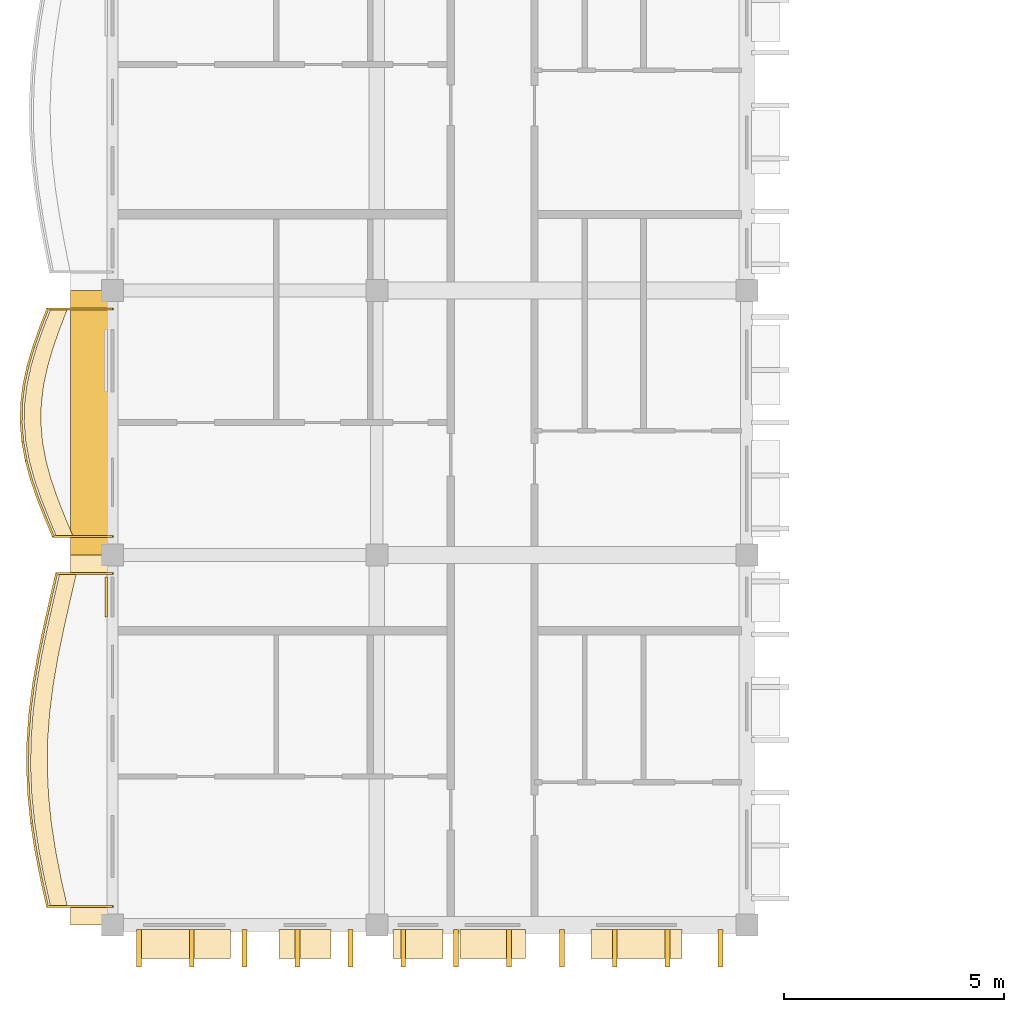
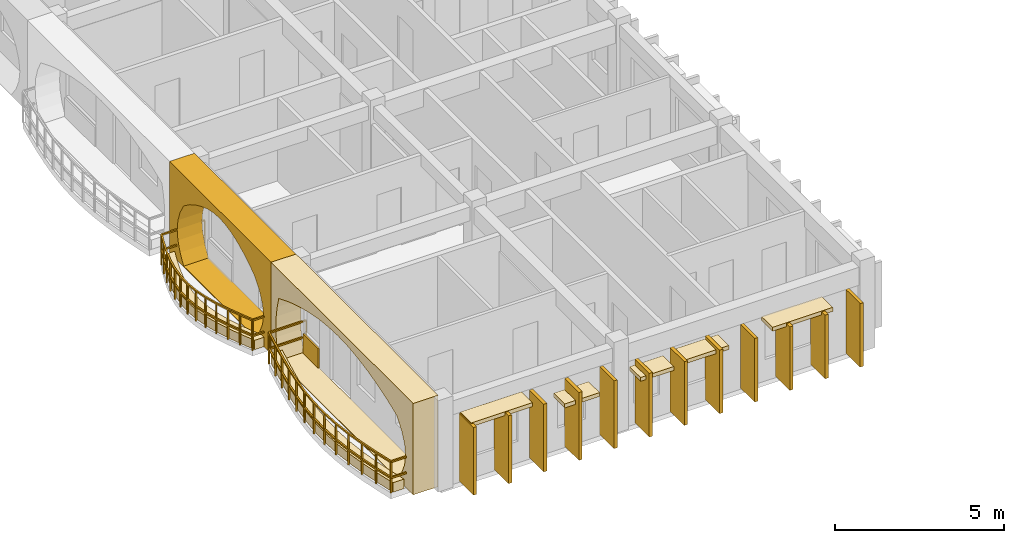
# One storey, part 19 of 28: 22 coverings, 2 railings.
"""IFC4 building model written with IfcOpenShell, lengths in metres."""

from ifc_helpers import new_model, si_unit, direction, frame, origin, origin_2d, place, context, subcontext, project, spatial, polyline, rectangle, outline, extrude, material, layer, layer_set, type_object, element, save


model = new_model("IFC4")

# Units and contexts
model_context = context("Model", 3, precision=1e-05, world=origin(), true_north=direction((0.0, 1.0)))
body_context = subcontext(model_context, "Body", "Model", "MODEL_VIEW")
ifc_project = project(units=[si_unit("LENGTHUNIT", "METRE"), si_unit("AREAUNIT", "SQUARE_METRE"), si_unit("VOLUMEUNIT", "CUBIC_METRE"), si_unit("PLANEANGLEUNIT", "RADIAN"), si_unit("MASSUNIT", "GRAM", prefix="KILO"), si_unit("THERMODYNAMICTEMPERATUREUNIT", "KELVIN")], contexts=[model_context])

# Site, building, storey
site_placement = place(None, origin())
site = spatial("IfcSite", under=ifc_project, at=site_placement, CompositionType="ELEMENT")
building_placement = place(site_placement, origin())
building = spatial("IfcBuilding", under=site, at=building_placement, Name="Thalorik Housing Commons", CompositionType="ELEMENT")
storey_placement = place(building_placement, frame((0.0, 0.0, 41.10009765625)))
storey = spatial("IfcBuildingStorey", under=building, at=storey_placement, Name="L12", CompositionType="ELEMENT", Elevation=41.10009765625)

# Coverings
ifc_material_1 = material(Name="Precast concrete C40/50", Category="concrete")
ifc_layer_1 = layer(ifc_material_1, 0.85009765625, Name="Precast concrete C40/50", Category="concrete")
ifc_layer_set_1 = layer_set([ifc_layer_1], Name="Precast concrete C40/50")
covering_type_1 = type_object("IfcCoveringType", Name="ARC-CLD-CUSH-850", PredefinedType="CLADDING", material=ifc_layer_set_1)
covering_1_placement = place(storey_placement, frame((7.867431640625, 97.800048828125, 0.0), z_axis=(0.0, 0.0, 1.0), x_axis=(0.0, -1.0, 0.0)))
element("IfcCovering", 1, at=covering_1_placement, inside=storey, type_object=covering_type_1, Name="L12 White Precast Curved Cushion Bay Frame 1215", PredefinedType="CLADDING", context=body_context, shape_type="SweptSolid", body=[
    extrude(outline(polyline([(-3.0, 0.0), (3.0, 0.0), (3.0, 3.300048828125), (-3.0, 3.300048828125), (-3.0, 0.0)]), holes=[polyline([(2.0400390625, 0.02490234375), (2.3232421875, 0.387451171875), (2.493408203125, 0.75), (2.550048828125, 1.112548828125), (2.493408203125, 1.47509765625), (2.3232421875, 1.83740234375), (2.0400390625, 2.199951171875), (1.689453125, 2.455810546875), (1.3388671875, 2.656494140625), (0.988037109375, 2.819091796875), (0.637451171875, 2.940185546875), (0.286865234375, 3.014892578125), (-0.063720703125, 3.0400390625), (-0.414306640625, 3.014892578125), (-0.764892578125, 2.940185546875), (-1.115478515625, 2.819091796875), (-1.46630859375, 2.656494140625), (-1.81689453125, 2.455810546875), (-2.16748046875, 2.199951171875), (-2.3798828125, 1.83740234375), (-2.507568359375, 1.47509765625), (-2.550048828125, 1.112548828125), (-2.507568359375, 0.75), (-2.3798828125, 0.387451171875), (-2.16748046875, 0.02490234375), (2.0400390625, 0.02490234375)])]), frame((0.0, 0.425048828125, 0.0), z_axis=(0.0, -1.0, 0.0), x_axis=(1.0, 0.0, 0.0)), (0.0, 0.0, 1.0), 0.85009765625),
])
covering_2_placement = place(storey_placement, frame((7.867431640625, 90.60009765625, 0.0), z_axis=(0.0, 0.0, 1.0), x_axis=(0.0, -1.0, 0.0)))
element("IfcCovering", 2, at=covering_2_placement, inside=storey, type_object=covering_type_1, Name="L12 White Precast Curved Cushion Bay Frame 1217", PredefinedType="CLADDING", context=body_context, shape_type="SweptSolid", body=[
    extrude(outline(polyline([(-4.199951171875, 0.0), (4.199951171875, 0.0), (4.199951171875, 3.300048828125), (-4.199951171875, 3.300048828125), (-4.199951171875, 0.0)]), holes=[polyline([(3.239990234375, 0.02490234375), (3.523193359375, 0.399169921875), (3.693359375, 0.773193359375), (3.75, 1.1474609375), (3.693359375, 1.521728515625), (3.523193359375, 1.895751953125), (3.239990234375, 2.27001953125), (2.657958984375, 2.50439453125), (2.07568359375, 2.6884765625), (1.493896484375, 2.837646484375), (0.91162109375, 2.948486328125), (0.32958984375, 3.016845703125), (-0.25244140625, 3.0400390625), (-0.834716796875, 3.016845703125), (-1.416748046875, 2.948486328125), (-1.998779296875, 2.837646484375), (-2.580810546875, 2.6884765625), (-3.162841796875, 2.50439453125), (-3.7451171875, 2.27001953125), (-3.841064453125, 1.895751953125), (-3.898681640625, 1.521728515625), (-3.91796875, 1.1474609375), (-3.898681640625, 0.773193359375), (-3.841064453125, 0.399169921875), (-3.7451171875, 0.02490234375), (3.239990234375, 0.02490234375)])]), frame((0.0, 0.425048828125, 0.0), z_axis=(0.0, -1.0, 0.0), x_axis=(1.0, 0.0, 0.0)), (0.0, 0.0, 1.0), 0.85009765625),
])
ifc_layer_2 = layer(ifc_material_1, 0.85009765625, Name="Precast concrete C40/50", Category="concrete")
ifc_layer_set_2 = layer_set([ifc_layer_2], Name="Precast concrete C40/50")
covering_type_2 = type_object("IfcCoveringType", Name="ARC-CLD-FIN-850", PredefinedType="CLADDING", material=ifc_layer_set_2)
for number, where, z_axis, x_axis, name in (
    (3, (9.0, 85.867431640625, 0.0400390625), (0.0, 0.0, 1.0), (1.0, 0.0, 0.0), "L12 Courtyard Precast Vertical Brise-Soleil Fin 1219"),
    (4, (10.199951171875, 85.867431640625, 0.0400390625), (0.0, 0.0, 1.0), (1.0, 0.0, 0.0), "L12 Courtyard Precast Vertical Brise-Soleil Fin 1220"),
    (5, (11.39990234375, 85.867431640625, 0.0400390625), (0.0, 0.0, 1.0), (1.0, 0.0, 0.0), "L12 Courtyard Precast Vertical Brise-Soleil Fin 1221"),
    (6, (12.60009765625, 85.867431640625, 0.0400390625), (0.0, 0.0, 1.0), (1.0, 0.0, 0.0), "L12 Courtyard Precast Vertical Brise-Soleil Fin 1222"),
    (7, (13.800048828125, 85.867431640625, 0.0400390625), (0.0, 0.0, 1.0), (1.0, 0.0, 0.0), "L12 Courtyard Precast Vertical Brise-Soleil Fin 1223"),
):
    element("IfcCovering", number, at=place(storey_placement, frame(where, z_axis=z_axis, x_axis=x_axis)), inside=storey, type_object=covering_type_2, Name=name, PredefinedType="CLADDING", context=body_context, shape_type="SweptSolid", body=[
        extrude(rectangle(XDim=0.110107421875, YDim=0.85009765625, at=origin_2d()), origin(), (0.0, 0.0, 1.0), 2.445068359375),
    ])
for number, where, z_axis, x_axis, name in (
    (8, (15.0, 85.867431640625, 0.0400390625), (0.0, 0.0, 1.0), (1.0, 0.0, 0.0), "L12 Courtyard Precast Vertical Brise-Soleil Fin 1226"),
    (9, (16.199951171875, 85.867431640625, 0.0400390625), (0.0, 0.0, 1.0), (1.0, 0.0, 0.0), "L12 Courtyard Precast Vertical Brise-Soleil Fin 1227"),
    (10, (17.39990234375, 85.867431640625, 0.0400390625), (0.0, 0.0, 1.0), (1.0, 0.0, 0.0), "L12 Courtyard Precast Vertical Brise-Soleil Fin 1228"),
    (11, (18.60009765625, 85.867431640625, 0.0400390625), (0.0, 0.0, 1.0), (1.0, 0.0, 0.0), "L12 Courtyard Precast Vertical Brise-Soleil Fin 1229"),
    (12, (19.800048828125, 85.867431640625, 0.0400390625), (0.0, 0.0, 1.0), (1.0, 0.0, 0.0), "L12 Courtyard Precast Vertical Brise-Soleil Fin 1230"),
    (13, (21.0, 85.867431640625, 0.0400390625), (0.0, 0.0, 1.0), (1.0, 0.0, 0.0), "L12 Courtyard Precast Vertical Brise-Soleil Fin 1231"),
    (14, (22.199951171875, 85.867431640625, 0.0400390625), (0.0, 0.0, 1.0), (1.0, 0.0, 0.0), "L12 Courtyard Precast Vertical Brise-Soleil Fin 1232"),
):
    element("IfcCovering", number, at=place(storey_placement, frame(where, z_axis=z_axis, x_axis=x_axis)), inside=storey, type_object=covering_type_2, Name=name, PredefinedType="CLADDING", context=body_context, shape_type="SweptSolid", body=[
        extrude(rectangle(XDim=0.110107421875, YDim=0.85009765625, at=origin_2d()), origin(), (0.0, 0.0, 1.0), 2.294921875),
    ])
ifc_layer_3 = layer(ifc_material_1, 0.64990234375, Name="Precast concrete C40/50", Category="concrete")
ifc_layer_set_3 = layer_set([ifc_layer_3], Name="Precast concrete C40/50")
covering_type_3 = type_object("IfcCoveringType", Name="ARC-CLD-HOOD-650", PredefinedType="CLADDING", material=ifc_layer_set_3)
covering_3_placement = place(storey_placement, frame((10.030029296875, 85.967529296875, 2.375), z_axis=(0.0, 0.0, 1.0), x_axis=(1.0, 0.0, 0.0)))
element("IfcCovering", 15, at=covering_3_placement, inside=storey, type_object=covering_type_3, Name="L12 Courtyard Precast Window Sun-Hood 1224", PredefinedType="CLADDING", context=body_context, shape_type="SweptSolid", body=[
    extrude(rectangle(XDim=2.090087890625, YDim=0.64990234375, at=origin_2d()), origin(), (0.0, 0.0, 1.0), 0.139892578125),
])
covering_4_placement = place(storey_placement, frame((12.77001953125, 85.967529296875, 1.93994140625), z_axis=(0.0, 0.0, 1.0), x_axis=(1.0, 0.0, 0.0)))
element("IfcCovering", 16, at=covering_4_placement, inside=storey, type_object=covering_type_3, Name="L12 Courtyard Precast Window Sun-Hood 1225", PredefinedType="CLADDING", context=body_context, shape_type="SweptSolid", body=[
    extrude(rectangle(XDim=1.18994140625, YDim=0.64990234375, at=origin_2d()), origin(), (0.0, 0.0, 1.0), 0.139892578125),
])
covering_5_placement = place(storey_placement, frame((15.3349609375, 85.967529296875, 1.98974609375), z_axis=(0.0, 0.0, 1.0), x_axis=(1.0, 0.0, 0.0)))
element("IfcCovering", 17, at=covering_5_placement, inside=storey, type_object=covering_type_3, Name="L12 Courtyard Precast Window Sun-Hood 1233", PredefinedType="CLADDING", context=body_context, shape_type="SweptSolid", body=[
    extrude(rectangle(XDim=1.139892578125, YDim=0.64990234375, at=origin_2d()), origin(), (0.0, 0.0, 1.0), 0.139892578125),
])
covering_6_placement = place(storey_placement, frame((17.030029296875, 85.967529296875, 2.08984375), z_axis=(0.0, 0.0, 1.0), x_axis=(1.0, 0.0, 0.0)))
element("IfcCovering", 18, at=covering_6_placement, inside=storey, type_object=covering_type_3, Name="L12 Courtyard Precast Window Sun-Hood 1234", PredefinedType="CLADDING", context=body_context, shape_type="SweptSolid", body=[
    extrude(rectangle(XDim=1.489990234375, YDim=0.64990234375, at=origin_2d()), origin(), (0.0, 0.0, 1.0), 0.139892578125),
])
covering_7_placement = place(storey_placement, frame((20.294921875, 85.967529296875, 2.22509765625), z_axis=(0.0, 0.0, 1.0), x_axis=(1.0, 0.0, 0.0)))
element("IfcCovering", 19, at=covering_7_placement, inside=storey, type_object=covering_type_3, Name="L12 Courtyard Precast Window Sun-Hood 1235", PredefinedType="CLADDING", context=body_context, shape_type="SweptSolid", body=[
    extrude(rectangle(XDim=2.06005859375, YDim=0.64990234375, at=origin_2d()), origin(), (0.0, 0.0, 1.0), 0.139892578125),
])
ifc_material_2 = material(Name="Terracotta red mineral fibre-cement panel", Category="masonry")
ifc_layer_4 = layer(ifc_material_2, 0.054931640625, Name="Terracotta red mineral fibre-cement panel", Category="masonry")
ifc_layer_set_4 = layer_set([ifc_layer_4], Name="Terracotta red mineral fibre-cement panel")
covering_type_4 = type_object("IfcCoveringType", Name="ARC-CLD-RED-55", PredefinedType="CLADDING", material=ifc_layer_set_4)
covering_8_placement = place(storey_placement, frame((8.260009765625, 93.844970703125, 0.0498046875), z_axis=(0.0, 0.0, 1.0), x_axis=(0.0, -1.0, 0.0)))
element("IfcCovering", 20, at=covering_8_placement, inside=storey, type_object=covering_type_4, Name="L12 De Stijl Recessed Window Spandrel 1218", PredefinedType="CLADDING", context=body_context, shape_type="SweptSolid", body=[
    extrude(rectangle(XDim=0.89990234375, YDim=0.054931640625, at=origin_2d()), origin(), (0.0, 0.0, 1.0), 0.699951171875),
])
ifc_material_3 = material(Name="Planted vegetated substrate and terracotta trough", Category="masonry")
ifc_layer_5 = layer(ifc_material_3, 0.340087890625, Name="Planted vegetated substrate and terracotta trough", Category="masonry")
ifc_layer_set_5 = layer_set([ifc_layer_5], Name="Planted vegetated substrate and terracotta trough")
covering_type_5 = type_object("IfcCoveringType", Name="ARC-COV-PLANTER", PredefinedType="USERDEFINED", material=ifc_layer_set_5)
covering_9_placement = place(storey_placement, origin())
element("IfcCovering", 21, at=covering_9_placement, inside=storey, type_object=covering_type_5, Name="L12 Balcony Slab-Edge Planted Trough 5399", ObjectType="PLANTER", PredefinedType="USERDEFINED", context=body_context, shape_type="SweptSolid", body=[
    extrude(outline(polyline([(7.19921875, 94.3798828125), (7.055419921875, 93.75), (6.913818359375, 93.1201171875), (6.7841796875, 92.489990234375), (6.675537109375, 91.860107421875), (6.59521484375, 91.22998046875), (6.548583984375, 90.60009765625), (6.5390625, 89.969970703125), (6.56787109375, 89.340087890625), (6.633056640625, 88.7099609375), (6.730224609375, 88.080078125), (6.85302734375, 87.449951171875), (6.99365234375, 86.820068359375), (7.37353515625, 86.820068359375), (7.233154296875, 87.449951171875), (7.110107421875, 88.080078125), (7.012939453125, 88.7099609375), (6.947998046875, 89.340087890625), (6.919189453125, 89.969970703125), (6.928466796875, 90.60009765625), (6.97509765625, 91.22998046875), (7.0556640625, 91.860107421875), (7.164306640625, 92.489990234375), (7.293701171875, 93.1201171875), (7.435302734375, 93.75), (7.5791015625, 94.3798828125), (7.19921875, 94.3798828125)])), origin(), (0.0, 0.0, 1.0), 0.33984375),
])
covering_10_placement = place(storey_placement, origin())
element("IfcCovering", 22, at=covering_10_placement, inside=storey, type_object=covering_type_5, Name="L12 Balcony Slab-Edge Planted Trough 5400", ObjectType="PLANTER", PredefinedType="USERDEFINED", context=body_context, shape_type="SweptSolid", body=[
    extrude(outline(polyline([(6.9951171875, 100.3798828125), (6.828369140625, 99.949951171875), (6.676513671875, 99.52001953125), (6.5498046875, 99.090087890625), (6.45654296875, 98.659912109375), (6.403564453125, 98.22998046875), (6.39453125, 97.800048828125), (6.4306640625, 97.3701171875), (6.509765625, 96.93994140625), (6.627197265625, 96.510009765625), (6.775390625, 96.080078125), (6.9453125, 95.64990234375), (7.125732421875, 95.219970703125), (7.505615234375, 95.219970703125), (7.3251953125, 95.64990234375), (7.155517578125, 96.080078125), (7.007080078125, 96.510009765625), (6.8896484375, 96.93994140625), (6.810546875, 97.3701171875), (6.774658203125, 97.800048828125), (6.78369140625, 98.22998046875), (6.836669921875, 98.659912109375), (6.9296875, 99.090087890625), (7.056396484375, 99.52001953125), (7.20849609375, 99.949951171875), (7.375, 100.3798828125), (6.9951171875, 100.3798828125)])), origin(), (0.0, 0.0, 1.0), 0.33984375),
])

# Railings
ifc_material_4 = material(Name="Steel S355", Category="steel")
railing_type_1 = type_object("IfcRailingType", Name="ARC-RL-BAL-112", PredefinedType="BALUSTRADE", material=ifc_material_4)
railing_1_placement = place(storey_placement, frame((8.39990234375, 100.3798828125, 0.0)))
element("IfcRailing", 23, at=railing_1_placement, inside=storey, type_object=railing_type_1, Name="L12 Cushion Balcony Guardrail 84", PredefinedType="BALUSTRADE", context=body_context, shape_type="SweptSolid", body=[
    extrude(rectangle(XDim=0.050048828125, YDim=0.050048828125, at=origin_2d()), frame((0.0, 0.0, 1.09521484375), z_axis=(-1.0, 0.0, 0.0), x_axis=(0.0, -1.0, 0.0)), (0.0, 0.0, 1.0), 1.474853515625),
    extrude(rectangle(XDim=0.050048828125, YDim=0.050048828125, at=origin_2d()), frame((0.0, 0.0, 0.53515625), z_axis=(-1.0, 0.0, 0.0), x_axis=(0.0, -1.0, 0.0)), (0.0, 0.0, 1.0), 1.474853515625),
    extrude(rectangle(XDim=0.050048828125, YDim=0.050048828125, at=origin_2d()), frame((-1.474853515625, 0.0, 1.09521484375), z_axis=(-0.361602993752, -0.932332169835, 0.0), x_axis=(0.932332169835, -0.361602993752, 0.0)), (0.0, 0.0, 1.0), 0.461181640625),
    extrude(rectangle(XDim=0.050048828125, YDim=0.050048828125, at=origin_2d()), frame((-1.474853515625, 0.0, 0.53515625), z_axis=(-0.361602993752, -0.932332169835, 0.0), x_axis=(0.932332169835, -0.361602993752, 0.0)), (0.0, 0.0, 1.0), 0.461181640625),
    extrude(rectangle(XDim=0.050048828125, YDim=0.050048828125, at=origin_2d()), frame((-1.6416015625, -0.429931640625, 1.09521484375), z_axis=(-0.333044169716, -0.942911226478, 0.0), x_axis=(0.942911226478, -0.333044169716, 0.0)), (0.0, 0.0, 1.0), 0.4560546875),
    extrude(rectangle(XDim=0.050048828125, YDim=0.050048828125, at=origin_2d()), frame((-1.6416015625, -0.429931640625, 0.53515625), z_axis=(-0.333044169716, -0.942911226478, 0.0), x_axis=(0.942911226478, -0.333044169716, 0.0)), (0.0, 0.0, 1.0), 0.4560546875),
    extrude(rectangle(XDim=0.050048828125, YDim=0.050048828125, at=origin_2d()), frame((-1.79345703125, -0.85986328125, 1.09521484375), z_axis=(-0.28269709896, -0.959209231732, 0.0), x_axis=(0.959209231732, -0.28269709896, 0.0)), (0.0, 0.0, 1.0), 0.4482421875),
    extrude(rectangle(XDim=0.050048828125, YDim=0.050048828125, at=origin_2d()), frame((-1.79345703125, -0.85986328125, 0.53515625), z_axis=(-0.28269709896, -0.959209231732, 0.0), x_axis=(0.959209231732, -0.28269709896, 0.0)), (0.0, 0.0, 1.0), 0.4482421875),
    extrude(rectangle(XDim=0.050048828125, YDim=0.050048828125, at=origin_2d()), frame((-1.920166015625, -1.289794921875, 1.09521484375), z_axis=(-0.21134711527, -0.977411068521, 0.0), x_axis=(0.977411068521, -0.21134711527, 0.0)), (0.0, 0.0, 1.0), 0.440185546875),
    extrude(rectangle(XDim=0.050048828125, YDim=0.050048828125, at=origin_2d()), frame((-1.920166015625, -1.289794921875, 0.53515625), z_axis=(-0.21134711527, -0.977411068521, 0.0), x_axis=(0.977411068521, -0.21134711527, 0.0)), (0.0, 0.0, 1.0), 0.440185546875),
    extrude(rectangle(XDim=0.050048828125, YDim=0.050048828125, at=origin_2d()), frame((-2.01318359375, -1.719970703125, 1.09521484375), z_axis=(-0.122855511548, -0.992424568057, 0.0), x_axis=(0.992424568057, -0.122855511548, 0.0)), (0.0, 0.0, 1.0), 0.43310546875),
    extrude(rectangle(XDim=0.050048828125, YDim=0.050048828125, at=origin_2d()), frame((-2.01318359375, -1.719970703125, 0.53515625), z_axis=(-0.122855511548, -0.992424568057, 0.0), x_axis=(0.992424568057, -0.122855511548, 0.0)), (0.0, 0.0, 1.0), 0.43310546875),
    extrude(rectangle(XDim=0.050048828125, YDim=0.050048828125, at=origin_2d()), frame((-2.06640625, -2.14990234375, 1.09521484375), z_axis=(-0.020438659805, -0.999791108775, 0.0), x_axis=(0.999791108775, -0.020438659805, 0.0)), (0.0, 0.0, 1.0), 0.429931640625),
    extrude(rectangle(XDim=0.050048828125, YDim=0.050048828125, at=origin_2d()), frame((-2.06640625, -2.14990234375, 0.53515625), z_axis=(-0.020438659805, -0.999791108775, 0.0), x_axis=(0.999791108775, -0.020438659805, 0.0)), (0.0, 0.0, 1.0), 0.429931640625),
    extrude(rectangle(XDim=0.050048828125, YDim=0.050048828125, at=origin_2d()), frame((-2.0751953125, -2.579833984375, 1.09521484375), z_axis=(0.083185976103, -0.996534040251, 0.0), x_axis=(0.996534040251, 0.083185976103, 0.0)), (0.0, 0.0, 1.0), 0.431396484375),
    extrude(rectangle(XDim=0.050048828125, YDim=0.050048828125, at=origin_2d()), frame((-2.0751953125, -2.579833984375, 0.53515625), z_axis=(0.083185976103, -0.996534040251, 0.0), x_axis=(0.996534040251, 0.083185976103, 0.0)), (0.0, 0.0, 1.0), 0.431396484375),
    extrude(rectangle(XDim=0.050048828125, YDim=0.050048828125, at=origin_2d()), frame((-2.039306640625, -3.009765625, 1.09521484375), z_axis=(0.180849870215, -0.983510713944, 0.0), x_axis=(0.983510713944, 0.180849870215, 0.0)), (0.0, 0.0, 1.0), 0.4375),
    extrude(rectangle(XDim=0.050048828125, YDim=0.050048828125, at=origin_2d()), frame((-2.039306640625, -3.009765625, 0.53515625), z_axis=(0.180849870215, -0.983510713944, 0.0), x_axis=(0.983510713944, 0.180849870215, 0.0)), (0.0, 0.0, 1.0), 0.4375),
    extrude(rectangle(XDim=0.050048828125, YDim=0.050048828125, at=origin_2d()), frame((-1.960205078125, -3.43994140625, 1.09521484375), z_axis=(0.263488199752, -0.96466261905, 0.0), x_axis=(0.96466261905, 0.263488199752, 0.0)), (0.0, 0.0, 1.0), 0.44580078125),
    extrude(rectangle(XDim=0.050048828125, YDim=0.050048828125, at=origin_2d()), frame((-1.960205078125, -3.43994140625, 0.53515625), z_axis=(0.263488199752, -0.96466261905, 0.0), x_axis=(0.96466261905, 0.263488199752, 0.0)), (0.0, 0.0, 1.0), 0.44580078125),
    extrude(rectangle(XDim=0.050048828125, YDim=0.050048828125, at=origin_2d()), frame((-1.8427734375, -3.869873046875, 1.09521484375), z_axis=(0.325874864866, -0.945412911086, 0.0), x_axis=(0.945412911086, 0.325874864866, 0.0)), (0.0, 0.0, 1.0), 0.454833984375),
    extrude(rectangle(XDim=0.050048828125, YDim=0.050048828125, at=origin_2d()), frame((-1.8427734375, -3.869873046875, 0.53515625), z_axis=(0.325874864866, -0.945412911086, 0.0), x_axis=(0.945412911086, 0.325874864866, 0.0)), (0.0, 0.0, 1.0), 0.454833984375),
    extrude(rectangle(XDim=0.050048828125, YDim=0.050048828125, at=origin_2d()), frame((-1.694580078125, -4.2998046875, 1.09521484375), z_axis=(0.367382851148, -0.930069804199, 0.0), x_axis=(0.930069804199, 0.367382851148, 0.0)), (0.0, 0.0, 1.0), 0.46240234375),
    extrude(rectangle(XDim=0.050048828125, YDim=0.050048828125, at=origin_2d()), frame((-1.694580078125, -4.2998046875, 0.53515625), z_axis=(0.367382851148, -0.930069804199, 0.0), x_axis=(0.930069804199, 0.367382851148, 0.0)), (0.0, 0.0, 1.0), 0.46240234375),
    extrude(rectangle(XDim=0.050048828125, YDim=0.050048828125, at=origin_2d()), frame((-1.524658203125, -4.72998046875, 1.09521484375), z_axis=(0.386956501768, -0.922097969708, 0.0), x_axis=(0.922097969708, 0.386956501768, 0.0)), (0.0, 0.0, 1.0), 0.46630859375),
    extrude(rectangle(XDim=0.050048828125, YDim=0.050048828125, at=origin_2d()), frame((-1.524658203125, -4.72998046875, 0.53515625), z_axis=(0.386956501768, -0.922097969708, 0.0), x_axis=(0.922097969708, 0.386956501768, 0.0)), (0.0, 0.0, 1.0), 0.46630859375),
    extrude(rectangle(XDim=0.050048828125, YDim=0.050048828125, at=origin_2d()), frame((-1.34423828125, -5.159912109375, 1.09521484375), z_axis=(1.0, 0.0, 0.0), x_axis=(0.0, 1.0, 0.0)), (0.0, 0.0, 1.0), 1.34423828125),
    extrude(rectangle(XDim=0.050048828125, YDim=0.050048828125, at=origin_2d()), frame((-1.34423828125, -5.159912109375, 0.53515625), z_axis=(1.0, 0.0, 0.0), x_axis=(0.0, 1.0, 0.0)), (0.0, 0.0, 1.0), 1.34423828125),
    extrude(rectangle(XDim=0.0419921875, YDim=0.0419921875, at=origin_2d()), origin(), (0.0, 0.0, 1.0), 1.070068359375),
    extrude(rectangle(XDim=0.0419921875, YDim=0.0419921875, at=origin_2d()), frame((-1.474853515625, 0.0, 0.0)), (0.0, 0.0, 1.0), 1.070068359375),
    extrude(rectangle(XDim=0.0419921875, YDim=0.0419921875, at=origin_2d()), frame((-1.6416015625, -0.429931640625, 0.0)), (0.0, 0.0, 1.0), 1.070068359375),
    extrude(rectangle(XDim=0.0419921875, YDim=0.0419921875, at=origin_2d()), frame((-1.79345703125, -0.85986328125, 0.0)), (0.0, 0.0, 1.0), 1.070068359375),
    extrude(rectangle(XDim=0.0419921875, YDim=0.0419921875, at=origin_2d()), frame((-1.920166015625, -1.289794921875, 0.0)), (0.0, 0.0, 1.0), 1.070068359375),
    extrude(rectangle(XDim=0.0419921875, YDim=0.0419921875, at=origin_2d()), frame((-2.01318359375, -1.719970703125, 0.0)), (0.0, 0.0, 1.0), 1.070068359375),
    extrude(rectangle(XDim=0.0419921875, YDim=0.0419921875, at=origin_2d()), frame((-2.06640625, -2.14990234375, 0.0)), (0.0, 0.0, 1.0), 1.070068359375),
    extrude(rectangle(XDim=0.0419921875, YDim=0.0419921875, at=origin_2d()), frame((-2.0751953125, -2.579833984375, 0.0)), (0.0, 0.0, 1.0), 1.070068359375),
    extrude(rectangle(XDim=0.0419921875, YDim=0.0419921875, at=origin_2d()), frame((-2.039306640625, -3.009765625, 0.0)), (0.0, 0.0, 1.0), 1.070068359375),
    extrude(rectangle(XDim=0.0419921875, YDim=0.0419921875, at=origin_2d()), frame((-1.960205078125, -3.43994140625, 0.0)), (0.0, 0.0, 1.0), 1.070068359375),
    extrude(rectangle(XDim=0.0419921875, YDim=0.0419921875, at=origin_2d()), frame((-1.8427734375, -3.869873046875, 0.0)), (0.0, 0.0, 1.0), 1.070068359375),
    extrude(rectangle(XDim=0.0419921875, YDim=0.0419921875, at=origin_2d()), frame((-1.694580078125, -4.2998046875, 0.0)), (0.0, 0.0, 1.0), 1.070068359375),
    extrude(rectangle(XDim=0.0419921875, YDim=0.0419921875, at=origin_2d()), frame((-1.524658203125, -4.72998046875, 0.0)), (0.0, 0.0, 1.0), 1.070068359375),
    extrude(rectangle(XDim=0.0419921875, YDim=0.0419921875, at=origin_2d()), frame((-1.34423828125, -5.159912109375, 0.0)), (0.0, 0.0, 1.0), 1.070068359375),
    extrude(rectangle(XDim=0.0419921875, YDim=0.0419921875, at=origin_2d()), frame((0.0, -5.159912109375, 0.0)), (0.0, 0.0, 1.0), 1.070068359375),
])
railing_type_2 = type_object("IfcRailingType", Name="ARC-RL-BAL-115", PredefinedType="BALUSTRADE", material=ifc_material_4)
railing_2_placement = place(storey_placement, frame((8.39990234375, 94.3798828125, 0.0)))
element("IfcRailing", 24, at=railing_2_placement, inside=storey, type_object=railing_type_2, Name="L12 Cushion Balcony Guardrail 83", PredefinedType="BALUSTRADE", context=body_context, shape_type="SweptSolid", body=[
    extrude(rectangle(XDim=0.050048828125, YDim=0.050048828125, at=origin_2d()), frame((0.0, 0.0, 1.125), z_axis=(-1.0, 0.0, 0.0), x_axis=(0.0, -1.0, 0.0)), (0.0, 0.0, 1.0), 1.270751953125),
    extrude(rectangle(XDim=0.050048828125, YDim=0.050048828125, at=origin_2d()), frame((0.0, 0.0, 0.5498046875), z_axis=(-1.0, 0.0, 0.0), x_axis=(0.0, -1.0, 0.0)), (0.0, 0.0, 1.0), 1.270751953125),
    extrude(rectangle(XDim=0.050048828125, YDim=0.050048828125, at=origin_2d()), frame((-1.270751953125, 0.0, 1.125), z_axis=(-0.222568284486, -0.974917103523, 0.0), x_axis=(0.974917103523, -0.222568284486, 0.0)), (0.0, 0.0, 1.0), 0.64599609375),
    extrude(rectangle(XDim=0.050048828125, YDim=0.050048828125, at=origin_2d()), frame((-1.270751953125, 0.0, 0.5498046875), z_axis=(-0.222568284486, -0.974917103523, 0.0), x_axis=(0.974917103523, -0.222568284486, 0.0)), (0.0, 0.0, 1.0), 0.64599609375),
    extrude(rectangle(XDim=0.050048828125, YDim=0.050048828125, at=origin_2d()), frame((-1.41455078125, -0.6298828125, 1.125), z_axis=(-0.219332222795, -0.975650232432, 0.0), x_axis=(0.975650232432, -0.219332222795, 0.0)), (0.0, 0.0, 1.0), 0.6455078125),
    extrude(rectangle(XDim=0.050048828125, YDim=0.050048828125, at=origin_2d()), frame((-1.41455078125, -0.6298828125, 0.5498046875), z_axis=(-0.219332222795, -0.975650232432, 0.0), x_axis=(0.975650232432, -0.219332222795, 0.0)), (0.0, 0.0, 1.0), 0.6455078125),
    extrude(rectangle(XDim=0.050048828125, YDim=0.050048828125, at=origin_2d()), frame((-1.55615234375, -1.259765625, 1.125), z_axis=(-0.201149587008, -0.979560535978, 0.0), x_axis=(0.979560535978, -0.201149587008, 0.0)), (0.0, 0.0, 1.0), 0.643310546875),
    extrude(rectangle(XDim=0.050048828125, YDim=0.050048828125, at=origin_2d()), frame((-1.55615234375, -1.259765625, 0.5498046875), z_axis=(-0.201149587008, -0.979560535978, 0.0), x_axis=(0.979560535978, -0.201149587008, 0.0)), (0.0, 0.0, 1.0), 0.643310546875),
    extrude(rectangle(XDim=0.050048828125, YDim=0.050048828125, at=origin_2d()), frame((-1.685546875, -1.889892578125, 1.125), z_axis=(-0.169970869691, -0.985449087197, 0.0), x_axis=(0.985449087197, -0.169970869691, 0.0)), (0.0, 0.0, 1.0), 0.63916015625),
    extrude(rectangle(XDim=0.050048828125, YDim=0.050048828125, at=origin_2d()), frame((-1.685546875, -1.889892578125, 0.5498046875), z_axis=(-0.169970869691, -0.985449087197, 0.0), x_axis=(0.985449087197, -0.169970869691, 0.0)), (0.0, 0.0, 1.0), 0.63916015625),
    extrude(rectangle(XDim=0.050048828125, YDim=0.050048828125, at=origin_2d()), frame((-1.794189453125, -2.519775390625, 1.125), z_axis=(-0.126824984963, -0.991925109668, 0.0), x_axis=(0.991925109668, -0.126824984963, 0.0)), (0.0, 0.0, 1.0), 0.63525390625),
    extrude(rectangle(XDim=0.050048828125, YDim=0.050048828125, at=origin_2d()), frame((-1.794189453125, -2.519775390625, 0.5498046875), z_axis=(-0.126824984963, -0.991925109668, 0.0), x_axis=(0.991925109668, -0.126824984963, 0.0)), (0.0, 0.0, 1.0), 0.63525390625),
    extrude(rectangle(XDim=0.050048828125, YDim=0.050048828125, at=origin_2d()), frame((-1.874755859375, -3.14990234375, 1.125), z_axis=(-0.07382897103, -0.997270917573, 0.0), x_axis=(0.997270917573, -0.07382897103, 0.0)), (0.0, 0.0, 1.0), 0.631591796875),
    extrude(rectangle(XDim=0.050048828125, YDim=0.050048828125, at=origin_2d()), frame((-1.874755859375, -3.14990234375, 0.5498046875), z_axis=(-0.07382897103, -0.997270917573, 0.0), x_axis=(0.997270917573, -0.07382897103, 0.0)), (0.0, 0.0, 1.0), 0.631591796875),
    extrude(rectangle(XDim=0.050048828125, YDim=0.050048828125, at=origin_2d()), frame((-1.92138671875, -3.77978515625, 1.125), z_axis=(-0.01510869757, -0.999885857115, 0.0), x_axis=(0.999885857115, -0.01510869757, 0.0)), (0.0, 0.0, 1.0), 0.630126953125),
    extrude(rectangle(XDim=0.050048828125, YDim=0.050048828125, at=origin_2d()), frame((-1.92138671875, -3.77978515625, 0.5498046875), z_axis=(-0.01510869757, -0.999885857115, 0.0), x_axis=(0.999885857115, -0.01510869757, 0.0)), (0.0, 0.0, 1.0), 0.630126953125),
    extrude(rectangle(XDim=0.050048828125, YDim=0.050048828125, at=origin_2d()), frame((-1.930908203125, -4.409912109375, 1.125), z_axis=(0.045688672801, -0.998955727336, 0.0), x_axis=(0.998955727336, 0.045688672801, 0.0)), (0.0, 0.0, 1.0), 0.630615234375),
    extrude(rectangle(XDim=0.050048828125, YDim=0.050048828125, at=origin_2d()), frame((-1.930908203125, -4.409912109375, 0.5498046875), z_axis=(0.045688672801, -0.998955727336, 0.0), x_axis=(0.998955727336, 0.045688672801, 0.0)), (0.0, 0.0, 1.0), 0.630615234375),
    extrude(rectangle(XDim=0.050048828125, YDim=0.050048828125, at=origin_2d()), frame((-1.902099609375, -5.039794921875, 1.125), z_axis=(0.102899151086, -0.994691793827, 0.0), x_axis=(0.994691793827, 0.102899151086, 0.0)), (0.0, 0.0, 1.0), 0.633544921875),
    extrude(rectangle(XDim=0.050048828125, YDim=0.050048828125, at=origin_2d()), frame((-1.902099609375, -5.039794921875, 0.5498046875), z_axis=(0.102899151086, -0.994691793827, 0.0), x_axis=(0.994691793827, 0.102899151086, 0.0)), (0.0, 0.0, 1.0), 0.633544921875),
    extrude(rectangle(XDim=0.050048828125, YDim=0.050048828125, at=origin_2d()), frame((-1.8369140625, -5.669921875, 1.125), z_axis=(0.152460165633, -0.988309616413, 0.0), x_axis=(0.988309616413, 0.152460165633, 0.0)), (0.0, 0.0, 1.0), 0.637451171875),
    extrude(rectangle(XDim=0.050048828125, YDim=0.050048828125, at=origin_2d()), frame((-1.8369140625, -5.669921875, 0.5498046875), z_axis=(0.152460165633, -0.988309616413, 0.0), x_axis=(0.988309616413, 0.152460165633, 0.0)), (0.0, 0.0, 1.0), 0.637451171875),
    extrude(rectangle(XDim=0.050048828125, YDim=0.050048828125, at=origin_2d()), frame((-1.73974609375, -6.2998046875, 1.125), z_axis=(0.191653310692, -0.981462688288, 0.0), x_axis=(0.981462688288, 0.191653310692, 0.0)), (0.0, 0.0, 1.0), 0.64208984375),
    extrude(rectangle(XDim=0.050048828125, YDim=0.050048828125, at=origin_2d()), frame((-1.73974609375, -6.2998046875, 0.5498046875), z_axis=(0.191653310692, -0.981462688288, 0.0), x_axis=(0.981462688288, 0.191653310692, 0.0)), (0.0, 0.0, 1.0), 0.64208984375),
    extrude(rectangle(XDim=0.050048828125, YDim=0.050048828125, at=origin_2d()), frame((-1.61669921875, -6.929931640625, 1.125), z_axis=(0.217531270363, -0.976053352238, 0.0), x_axis=(0.976053352238, 0.217531270363, 0.0)), (0.0, 0.0, 1.0), 0.645263671875),
    extrude(rectangle(XDim=0.050048828125, YDim=0.050048828125, at=origin_2d()), frame((-1.61669921875, -6.929931640625, 0.5498046875), z_axis=(0.217531270363, -0.976053352238, 0.0), x_axis=(0.976053352238, 0.217531270363, 0.0)), (0.0, 0.0, 1.0), 0.645263671875),
    extrude(rectangle(XDim=0.050048828125, YDim=0.050048828125, at=origin_2d()), frame((-1.476318359375, -7.559814453125, 1.125), z_axis=(1.0, 0.0, 0.0), x_axis=(0.0, 1.0, 0.0)), (0.0, 0.0, 1.0), 1.476318359375),
    extrude(rectangle(XDim=0.050048828125, YDim=0.050048828125, at=origin_2d()), frame((-1.476318359375, -7.559814453125, 0.5498046875), z_axis=(1.0, 0.0, 0.0), x_axis=(0.0, 1.0, 0.0)), (0.0, 0.0, 1.0), 1.476318359375),
    extrude(rectangle(XDim=0.0419921875, YDim=0.0419921875, at=origin_2d()), origin(), (0.0, 0.0, 1.0), 1.099853515625),
    extrude(rectangle(XDim=0.0419921875, YDim=0.0419921875, at=origin_2d()), frame((-1.270751953125, 0.0, 0.0)), (0.0, 0.0, 1.0), 1.099853515625),
    extrude(rectangle(XDim=0.0419921875, YDim=0.0419921875, at=origin_2d()), frame((-1.41455078125, -0.6298828125, 0.0)), (0.0, 0.0, 1.0), 1.099853515625),
    extrude(rectangle(XDim=0.0419921875, YDim=0.0419921875, at=origin_2d()), frame((-1.55615234375, -1.259765625, 0.0)), (0.0, 0.0, 1.0), 1.099853515625),
    extrude(rectangle(XDim=0.0419921875, YDim=0.0419921875, at=origin_2d()), frame((-1.685546875, -1.889892578125, 0.0)), (0.0, 0.0, 1.0), 1.099853515625),
    extrude(rectangle(XDim=0.0419921875, YDim=0.0419921875, at=origin_2d()), frame((-1.794189453125, -2.519775390625, 0.0)), (0.0, 0.0, 1.0), 1.099853515625),
    extrude(rectangle(XDim=0.0419921875, YDim=0.0419921875, at=origin_2d()), frame((-1.874755859375, -3.14990234375, 0.0)), (0.0, 0.0, 1.0), 1.099853515625),
    extrude(rectangle(XDim=0.0419921875, YDim=0.0419921875, at=origin_2d()), frame((-1.92138671875, -3.77978515625, 0.0)), (0.0, 0.0, 1.0), 1.099853515625),
    extrude(rectangle(XDim=0.0419921875, YDim=0.0419921875, at=origin_2d()), frame((-1.930908203125, -4.409912109375, 0.0)), (0.0, 0.0, 1.0), 1.099853515625),
    extrude(rectangle(XDim=0.0419921875, YDim=0.0419921875, at=origin_2d()), frame((-1.902099609375, -5.039794921875, 0.0)), (0.0, 0.0, 1.0), 1.099853515625),
    extrude(rectangle(XDim=0.0419921875, YDim=0.0419921875, at=origin_2d()), frame((-1.8369140625, -5.669921875, 0.0)), (0.0, 0.0, 1.0), 1.099853515625),
    extrude(rectangle(XDim=0.0419921875, YDim=0.0419921875, at=origin_2d()), frame((-1.73974609375, -6.2998046875, 0.0)), (0.0, 0.0, 1.0), 1.099853515625),
    extrude(rectangle(XDim=0.0419921875, YDim=0.0419921875, at=origin_2d()), frame((-1.61669921875, -6.929931640625, 0.0)), (0.0, 0.0, 1.0), 1.099853515625),
    extrude(rectangle(XDim=0.0419921875, YDim=0.0419921875, at=origin_2d()), frame((-1.476318359375, -7.559814453125, 0.0)), (0.0, 0.0, 1.0), 1.099853515625),
    extrude(rectangle(XDim=0.0419921875, YDim=0.0419921875, at=origin_2d()), frame((0.0, -7.559814453125, 0.0)), (0.0, 0.0, 1.0), 1.099853515625),
])

save(model, "model.ifc")
